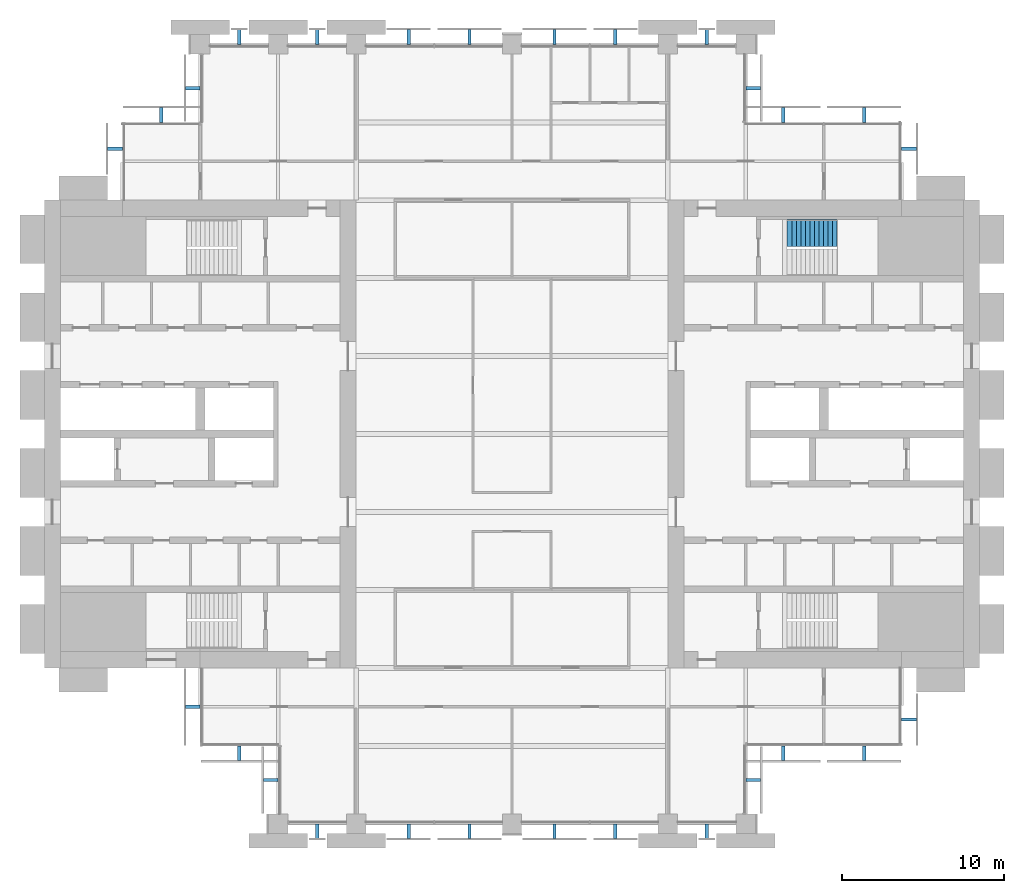
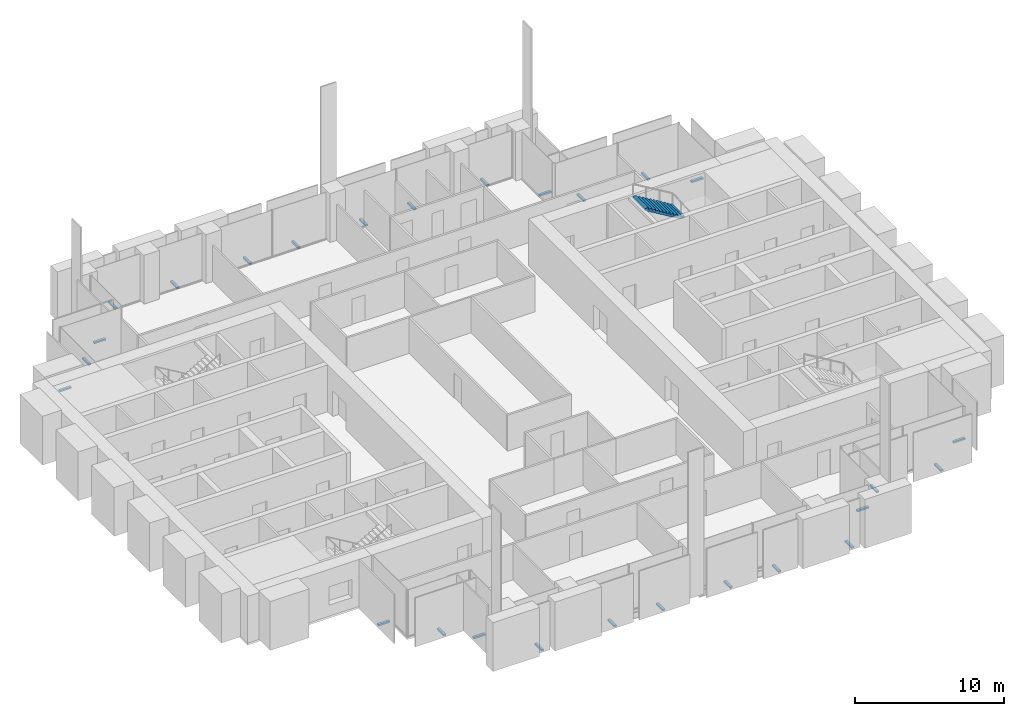
# One storey, part 13 of 14: 27 discrete accessories, 1 stair flight, 1 element without a shape of its own.
"""IFC4 building model written with IfcOpenShell, lengths in metres."""

from ifc_helpers import new_model, si_unit, direction, frame, origin, origin_2d, place, context, subcontext, project, spatial, polyline, rectangle, outline, extrude, material, type_object, element, aggregate, save


model = new_model("IFC4")

# Units and contexts
model_context = context("Model", 3, precision=1e-05, world=origin(), true_north=direction((0.0, 1.0)))
body_context = subcontext(model_context, "Body", "Model", "MODEL_VIEW")
ifc_project = project(units=[si_unit("LENGTHUNIT", "METRE"), si_unit("AREAUNIT", "SQUARE_METRE"), si_unit("VOLUMEUNIT", "CUBIC_METRE"), si_unit("PLANEANGLEUNIT", "RADIAN"), si_unit("MASSUNIT", "GRAM", prefix="KILO")], contexts=[model_context])

# Site, building, storey
site_placement = place(None, origin())
site = spatial("IfcSite", under=ifc_project, at=site_placement, CompositionType="ELEMENT")
building_placement = place(site_placement, origin())
building = spatial("IfcBuilding", under=site, at=building_placement, Name="Baori Bourse Tower", CompositionType="ELEMENT")
storey_placement = place(building_placement, frame((0.0, 0.0, 108.10009765625)))
storey = spatial("IfcBuildingStorey", under=building, at=storey_placement, Name="L22", CompositionType="ELEMENT", Elevation=108.10009765625)

# Stair, stair flight
ifc_material_1 = material(Name="Concrete f'c 50 MPa", Category="concrete")
stair_type = type_object("IfcStairType", Name="Core stair", PredefinedType="HALF_TURN_STAIR", material=ifc_material_1)
stair_placement = place(storey_placement, origin())
stair = element("IfcStair", 1, at=stair_placement, inside=storey, type_object=stair_type, Name="L22 Stair EB", PredefinedType="HALF_TURN_STAIR")
ifc_material_2 = material(Name="Concrete f'c 50 MPa", Category="concrete")
stair_flight_type = type_object("IfcStairFlightType", Name="Core stair flight", PredefinedType="STRAIGHT", material=ifc_material_2)
stair_flight_placement = place(storey_placement, frame((48.830078125, 36.375, 2.0), z_axis=(0.0, 0.0, 1.0), x_axis=(-1.0, 0.0, 0.0)))
stair_flight = element("IfcStairFlight", 2, at=stair_flight_placement, type_object=stair_flight_type, Name="ST4 flight 2", NumberOfRisers=12, NumberOfTreads=11, PredefinedType="STRAIGHT", RiserHeight=0.166666667, TreadLength=0.28, context=body_context, shape_type="SweptSolid", body=[
    extrude(outline(polyline([(0.0, 0.0), (0.0, 0.166748046875), (0.280029296875, 0.166748046875), (0.280029296875, 0.333251953125), (0.56005859375, 0.333251953125), (0.56005859375, 0.5), (0.840087890625, 0.5), (0.840087890625, 0.666748046875), (1.1201171875, 0.666748046875), (1.1201171875, 0.833251953125), (1.39990234375, 0.833251953125), (1.39990234375, 1.0), (1.679931640625, 1.0), (1.679931640625, 1.166748046875), (1.9599609375, 1.166748046875), (1.9599609375, 1.333251953125), (2.239990234375, 1.333251953125), (2.239990234375, 1.5), (2.52001953125, 1.5), (2.52001953125, 1.666748046875), (2.800048828125, 1.666748046875), (2.800048828125, 1.833251953125), (3.080078125, 1.833251953125), (3.080078125, 2.0), (3.080078125, 1.658935546875), (0.29296875, 0.0), (0.0, 0.0)])), frame((0.0, 0.824951171875, 0.0), z_axis=(0.0, -1.0, 0.0), x_axis=(1.0, 0.0, 0.0)), (0.0, 0.0, 1.0), 1.64990234375),
])
aggregate(stair, [stair_flight])

# Discrete accessories
ifc_material_3 = material(Name="Pale anodised aluminium", Category="aluminium")
discrete_accessory_type = type_object("IfcDiscreteAccessoryType", Name="OS2 Outer skin bracket", PredefinedType="BRACKET", material=ifc_material_3)
for number, where, z_axis, x_axis, name in (
    (3, (53.25, 41.574951171875, -0.14404296875), (0.0, 0.0, 1.0), (0.0, 1.0, 0.0), "Outer skin bracket L22 1"),
    (4, (50.487548828125, 43.64990234375, -0.14404296875), (0.0, 0.0, 1.0), (-1.0, 0.0, 0.0), "Outer skin bracket L22 2"),
    (5, (45.512451171875, 43.64990234375, -0.14404296875), (0.0, 0.0, 1.0), (-1.0, 0.0, 0.0), "Outer skin bracket L22 3"),
    (6, (43.64990234375, 45.300048828125, -0.14404296875), (0.0, 0.0, 1.0), (0.0, 1.0, 0.0), "Outer skin bracket L22 4"),
    (7, (40.800048828125, 48.449951171875, -0.14404296875), (0.0, 0.0, 1.0), (-1.0, 0.0, 0.0), "Outer skin bracket L22 5"),
    (8, (35.16259765625, 48.449951171875, -0.14404296875), (0.0, 0.0, 1.0), (-1.0, 0.0, 0.0), "Outer skin bracket L22 6"),
    (9, (31.41259765625, 48.449951171875, -0.14404296875), (0.0, 0.0, 1.0), (-1.0, 0.0, 0.0), "Outer skin bracket L22 7"),
    (10, (26.1875, 48.449951171875, -0.14404296875), (0.0, 0.0, 1.0), (-1.0, 0.0, 0.0), "Outer skin bracket L22 8"),
    (11, (22.4375, 48.449951171875, -0.14404296875), (0.0, 0.0, 1.0), (-1.0, 0.0, 0.0), "Outer skin bracket L22 9"),
    (12, (16.800048828125, 48.449951171875, -0.14404296875), (0.0, 0.0, 1.0), (-1.0, 0.0, 0.0), "Outer skin bracket L22 10"),
    (13, (12.0, 48.449951171875, -0.14404296875), (0.0, 0.0, 1.0), (-1.0, 0.0, 0.0), "Outer skin bracket L22 11"),
    (14, (9.14990234375, 45.300048828125, -0.14404296875), (0.0, 0.0, 1.0), (0.0, -1.0, 0.0), "Outer skin bracket L22 12"),
    (15, (7.199951171875, 43.64990234375, -0.14404296875), (0.0, 0.0, 1.0), (-1.0, 0.0, 0.0), "Outer skin bracket L22 13"),
    (16, (4.35009765625, 41.574951171875, -0.14404296875), (0.0, 0.0, 1.0), (0.0, -1.0, 0.0), "Outer skin bracket L22 14"),
    (17, (9.14990234375, 7.199951171875, -0.14404296875), (0.0, 0.0, 1.0), (0.0, -1.0, 0.0), "Outer skin bracket L22 15"),
    (18, (12.0, 4.35009765625, -0.14404296875), (0.0, 0.0, 1.0), (1.0, 0.0, 0.0), "Outer skin bracket L22 16"),
    (19, (13.949951171875, 2.699951171875, -0.14404296875), (0.0, 0.0, 1.0), (0.0, -1.0, 0.0), "Outer skin bracket L22 17"),
    (20, (16.800048828125, -0.449951171875, -0.14404296875), (0.0, 0.0, 1.0), (1.0, 0.0, 0.0), "Outer skin bracket L22 18"),
    (21, (22.4375, -0.449951171875, -0.14404296875), (0.0, 0.0, 1.0), (1.0, 0.0, 0.0), "Outer skin bracket L22 19"),
    (22, (26.1875, -0.449951171875, -0.14404296875), (0.0, 0.0, 1.0), (1.0, 0.0, 0.0), "Outer skin bracket L22 20"),
    (23, (31.41259765625, -0.449951171875, -0.14404296875), (0.0, 0.0, 1.0), (1.0, 0.0, 0.0), "Outer skin bracket L22 21"),
    (24, (35.16259765625, -0.449951171875, -0.14404296875), (0.0, 0.0, 1.0), (1.0, 0.0, 0.0), "Outer skin bracket L22 22"),
    (25, (40.800048828125, -0.449951171875, -0.14404296875), (0.0, 0.0, 1.0), (1.0, 0.0, 0.0), "Outer skin bracket L22 23"),
    (26, (43.64990234375, 2.699951171875, -0.14404296875), (0.0, 0.0, 1.0), (0.0, 1.0, 0.0), "Outer skin bracket L22 24"),
    (27, (45.512451171875, 4.35009765625, -0.14404296875), (0.0, 0.0, 1.0), (1.0, 0.0, 0.0), "Outer skin bracket L22 25"),
    (28, (50.487548828125, 4.35009765625, -0.14404296875), (0.0, 0.0, 1.0), (1.0, 0.0, 0.0), "Outer skin bracket L22 26"),
    (29, (53.25, 6.425048828125, -0.14404296875), (0.0, 0.0, 1.0), (0.0, 1.0, 0.0), "Outer skin bracket L22 27"),
):
    element("IfcDiscreteAccessory", number, at=place(storey_placement, frame(where, z_axis=z_axis, x_axis=x_axis)), inside=storey, type_object=discrete_accessory_type, Name=name, PredefinedType="BRACKET", context=body_context, shape_type="SweptSolid", body=[
        extrude(rectangle(XDim=0.199951171875, YDim=0.89990234375, at=origin_2d()), origin(), (0.0, 0.0, 1.0), 0.1279296875),
    ])

save(model, "model.ifc")
